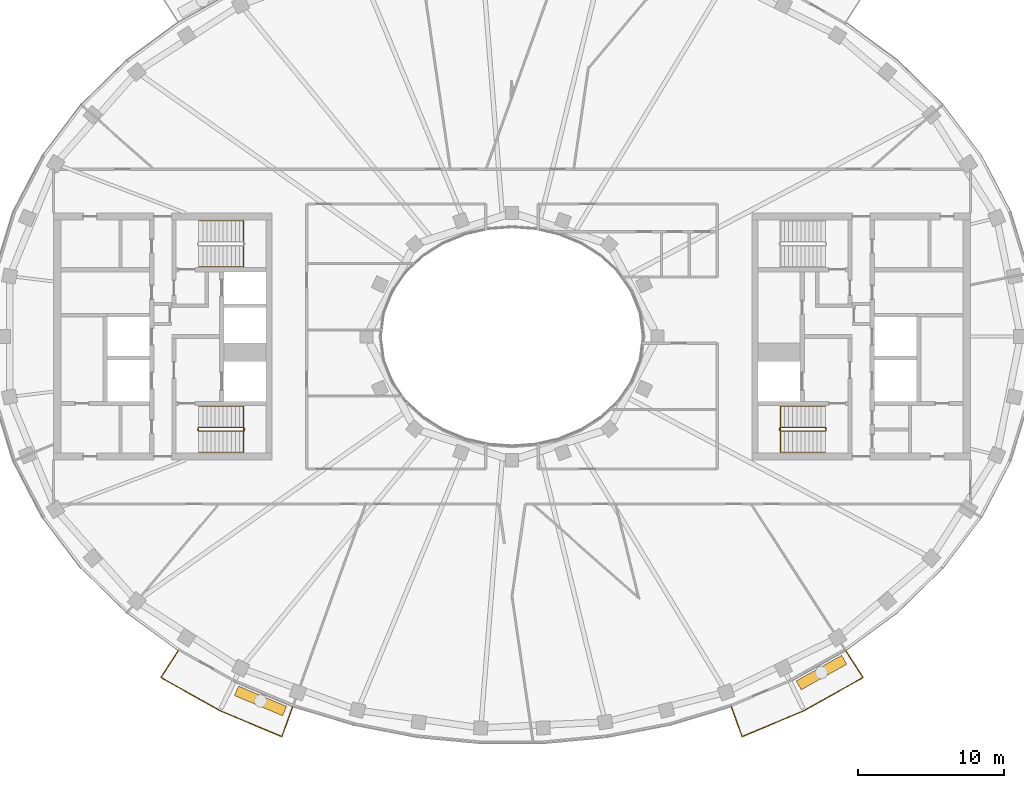
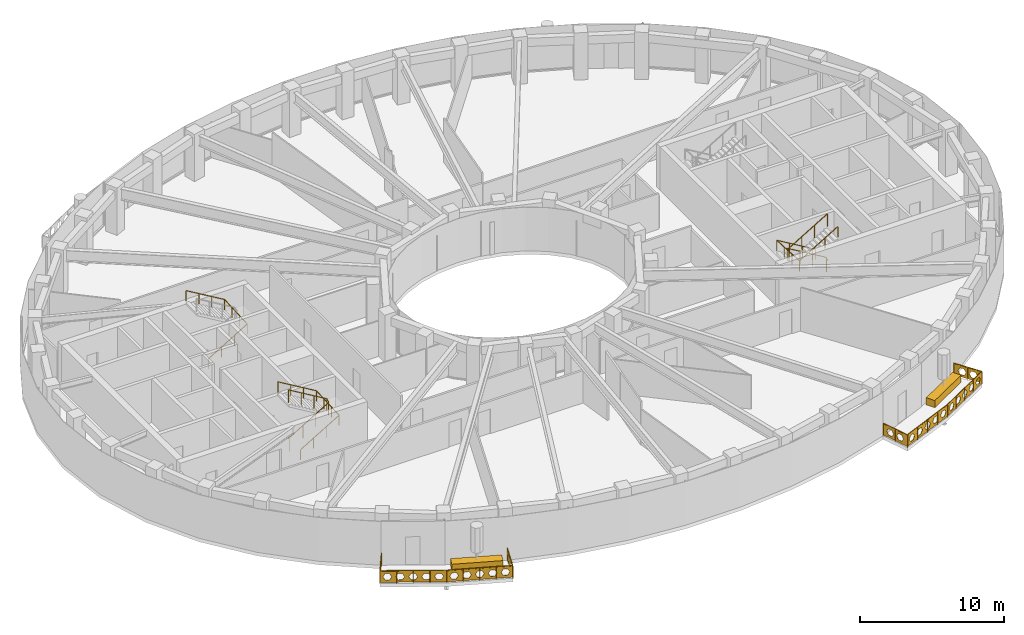
# One storey, part 13 of 15: 7 railings, 2 coverings.
"""IFC4 building model written with IfcOpenShell, lengths in metres."""

from ifc_helpers import new_model, si_unit, direction, frame, origin, origin_2d, place, context, subcontext, project, spatial, polyline, rectangle, outline, extrude, material, type_object, element, save


model = new_model("IFC4")

# Units and contexts
model_context = context("Model", 3, precision=1e-05, world=origin(), true_north=direction((0.0, 1.0)))
body_context = subcontext(model_context, "Body", "Model", "MODEL_VIEW")
ifc_project = project(units=[si_unit("LENGTHUNIT", "METRE"), si_unit("AREAUNIT", "SQUARE_METRE"), si_unit("VOLUMEUNIT", "CUBIC_METRE"), si_unit("PLANEANGLEUNIT", "RADIAN"), si_unit("MASSUNIT", "GRAM", prefix="KILO")], contexts=[model_context])

# Site, building, storey
site_placement = place(None, origin())
site = spatial("IfcSite", under=ifc_project, at=site_placement, CompositionType="ELEMENT")
building_placement = place(site_placement, origin())
building = spatial("IfcBuilding", under=site, at=building_placement, Name="Noorbagh Ring Tower", CompositionType="ELEMENT")
storey_placement = place(building_placement, frame((0.0, 0.0, 295.0)))
storey = spatial("IfcBuildingStorey", under=building, at=storey_placement, Name="L63", CompositionType="ELEMENT", Elevation=295.0)

# Railings
ifc_material_1 = material(Name="Stainless steel", Category="steel")
railing_type_1 = type_object("IfcRailingType", Name="CORE-STAIR-GUARD", PredefinedType="GUARDRAIL", material=ifc_material_1)
railing_1_placement = place(storey_placement, frame((-21.580078125, -6.449951171875, 0.0)))
element("IfcRailing", 1, at=railing_1_placement, inside=storey, type_object=railing_type_1, Name="L63 ST2 stair guard", PredefinedType="GUARDRAIL", context=body_context, shape_type="SweptSolid", body=[
    extrude(rectangle(XDim=0.048095703125, YDim=0.048095703125, at=origin_2d()), frame((0.0, 0.0, 1.076171875), z_axis=(0.0, 1.0, 0.0), x_axis=(-1.0, 0.0, 0.0)), (0.0, 0.0, 1.0), 0.14990234375),
    extrude(rectangle(XDim=0.048095703125, YDim=0.048095703125, at=origin_2d()), frame((0.0, 0.14990234375, 1.076171875), z_axis=(0.188775798145, -0.754182335027, 0.628945707965), x_axis=(0.970072785993, 0.242814311512, 0.0)), (0.0, 0.0, 1.0), 0.26513671875),
    extrude(rectangle(XDim=0.048095703125, YDim=0.048095703125, at=origin_2d()), frame((0.050048828125, -0.050048828125, 1.24267578125), z_axis=(0.859308565015, 0.0, 0.511457515432), x_axis=(0.0, 1.0, 0.0)), (0.0, 0.0, 1.0), 3.58447265625),
    extrude(rectangle(XDim=0.048095703125, YDim=0.048095703125, at=origin_2d()), frame((3.130126953125, -0.050048828125, 3.076171875), z_axis=(0.707106781187, 0.707106781187, 0.0), x_axis=(-0.707106781187, 0.707106781187, 0.0)), (0.0, 0.0, 1.0), 0.07080078125),
    extrude(rectangle(XDim=0.048095703125, YDim=0.048095703125, at=origin_2d()), frame((3.18017578125, 0.0, 3.076171875), z_axis=(0.0, 1.0, 0.0), x_axis=(-1.0, 0.0, 0.0)), (0.0, 0.0, 1.0), 0.14990234375),
    extrude(rectangle(XDim=0.048095703125, YDim=0.048095703125, at=origin_2d()), frame((3.18017578125, 0.14990234375, 3.076171875), z_axis=(-0.27628659633, 0.27628659633, 0.920506074601), x_axis=(-0.707106781187, -0.707106781187, 0.0)), (0.0, 0.0, 1.0), 0.18115234375),
    extrude(rectangle(XDim=0.048095703125, YDim=0.048095703125, at=origin_2d()), frame((3.130126953125, 0.199951171875, 3.24267578125), z_axis=(-0.859308565015, 0.0, 0.511457515432), x_axis=(0.0, -1.0, 0.0)), (0.0, 0.0, 1.0), 3.58447265625),
    extrude(rectangle(XDim=0.0419921875, YDim=0.0419921875, at=origin_2d()), origin(), (0.0, 0.0, 1.0), 1.052001953125),
    extrude(rectangle(XDim=0.0419921875, YDim=0.0419921875, at=origin_2d()), frame((1.07666015625, -0.050048828125, 0.77783203125)), (0.0, 0.0, 1.0), 1.052001953125),
    extrude(rectangle(XDim=0.0419921875, YDim=0.0419921875, at=origin_2d()), frame((2.103515625, -0.050048828125, 1.388916015625)), (0.0, 0.0, 1.0), 1.052001953125),
    extrude(rectangle(XDim=0.0419921875, YDim=0.0419921875, at=origin_2d()), frame((3.130126953125, -0.050048828125, 2.0)), (0.0, 0.0, 1.0), 1.052001953125),
    extrude(rectangle(XDim=0.0419921875, YDim=0.0419921875, at=origin_2d()), frame((3.130126953125, 0.199951171875, 2.166748046875)), (0.0, 0.0, 1.0), 1.052001953125),
    extrude(rectangle(XDim=0.0419921875, YDim=0.0419921875, at=origin_2d()), frame((2.103515625, 0.199951171875, 2.77783203125)), (0.0, 0.0, 1.0), 1.052001953125),
    extrude(rectangle(XDim=0.0419921875, YDim=0.0419921875, at=origin_2d()), frame((1.07666015625, 0.199951171875, 3.388916015625)), (0.0, 0.0, 1.0), 1.052001953125),
    extrude(rectangle(XDim=0.0419921875, YDim=0.0419921875, at=origin_2d()), frame((0.050048828125, 0.199951171875, 4.0)), (0.0, 0.0, 1.0), 1.052001953125),
])
railing_2_placement = place(storey_placement, frame((21.580078125, -6.300048828125, 0.0)))
element("IfcRailing", 2, at=railing_2_placement, inside=storey, type_object=railing_type_1, Name="L63 ST4 stair guard", PredefinedType="GUARDRAIL", context=body_context, shape_type="SweptSolid", body=[
    extrude(rectangle(XDim=0.048095703125, YDim=0.048095703125, at=origin_2d()), frame((0.0, 0.0, 1.076171875), z_axis=(0.0, -1.0, 0.0), x_axis=(1.0, 0.0, 0.0)), (0.0, 0.0, 1.0), 0.14990234375),
    extrude(rectangle(XDim=0.048095703125, YDim=0.048095703125, at=origin_2d()), frame((0.0, -0.14990234375, 1.076171875), z_axis=(-0.188775798145, 0.754182335027, 0.628945707965), x_axis=(-0.970072785993, -0.242814311512, 0.0)), (0.0, 0.0, 1.0), 0.26513671875),
    extrude(rectangle(XDim=0.048095703125, YDim=0.048095703125, at=origin_2d()), frame((-0.050048828125, 0.050048828125, 1.24267578125), z_axis=(-0.859308565015, 0.0, 0.511457515432), x_axis=(0.0, -1.0, 0.0)), (0.0, 0.0, 1.0), 3.58447265625),
    extrude(rectangle(XDim=0.048095703125, YDim=0.048095703125, at=origin_2d()), frame((-3.130126953125, 0.050048828125, 3.076171875), z_axis=(-0.707106781187, -0.707106781187, 0.0), x_axis=(0.707106781187, -0.707106781187, 0.0)), (0.0, 0.0, 1.0), 0.07080078125),
    extrude(rectangle(XDim=0.048095703125, YDim=0.048095703125, at=origin_2d()), frame((-3.18017578125, 0.0, 3.076171875), z_axis=(0.0, -1.0, 0.0), x_axis=(1.0, 0.0, 0.0)), (0.0, 0.0, 1.0), 0.14990234375),
    extrude(rectangle(XDim=0.048095703125, YDim=0.048095703125, at=origin_2d()), frame((-3.18017578125, -0.14990234375, 3.076171875), z_axis=(0.27628659633, -0.27628659633, 0.920506074601), x_axis=(0.707106781187, 0.707106781187, 0.0)), (0.0, 0.0, 1.0), 0.18115234375),
    extrude(rectangle(XDim=0.048095703125, YDim=0.048095703125, at=origin_2d()), frame((-3.130126953125, -0.199951171875, 3.24267578125), z_axis=(0.859308565015, 0.0, 0.511457515432), x_axis=(0.0, 1.0, 0.0)), (0.0, 0.0, 1.0), 3.58447265625),
    extrude(rectangle(XDim=0.0419921875, YDim=0.0419921875, at=origin_2d()), origin(), (0.0, 0.0, 1.0), 1.052001953125),
    extrude(rectangle(XDim=0.0419921875, YDim=0.0419921875, at=origin_2d()), frame((-1.07666015625, 0.050048828125, 0.77783203125)), (0.0, 0.0, 1.0), 1.052001953125),
    extrude(rectangle(XDim=0.0419921875, YDim=0.0419921875, at=origin_2d()), frame((-2.103515625, 0.050048828125, 1.388916015625)), (0.0, 0.0, 1.0), 1.052001953125),
    extrude(rectangle(XDim=0.0419921875, YDim=0.0419921875, at=origin_2d()), frame((-3.130126953125, 0.050048828125, 2.0)), (0.0, 0.0, 1.0), 1.052001953125),
    extrude(rectangle(XDim=0.0419921875, YDim=0.0419921875, at=origin_2d()), frame((-3.130126953125, -0.199951171875, 2.166748046875)), (0.0, 0.0, 1.0), 1.052001953125),
    extrude(rectangle(XDim=0.0419921875, YDim=0.0419921875, at=origin_2d()), frame((-2.103515625, -0.199951171875, 2.77783203125)), (0.0, 0.0, 1.0), 1.052001953125),
    extrude(rectangle(XDim=0.0419921875, YDim=0.0419921875, at=origin_2d()), frame((-1.07666015625, -0.199951171875, 3.388916015625)), (0.0, 0.0, 1.0), 1.052001953125),
    extrude(rectangle(XDim=0.0419921875, YDim=0.0419921875, at=origin_2d()), frame((-0.050048828125, -0.199951171875, 4.0)), (0.0, 0.0, 1.0), 1.052001953125),
])
ifc_material_2 = material(Name="Stainless steel", Category="steel")
railing_type_2 = type_object("IfcRailingType", Name="CORE-STAIR-HANDRAIL", PredefinedType="HANDRAIL", material=ifc_material_2)
railing_3_placement = place(storey_placement, frame((-21.530029296875, 4.800048828125, 0.166748046875)))
element("IfcRailing", 3, at=railing_3_placement, inside=storey, type_object=railing_type_2, Name="L63 ST1 stair handrail", PredefinedType="HANDRAIL", context=body_context, shape_type="SweptSolid", body=[
    extrude(rectangle(XDim=0.048095703125, YDim=0.048095703125, at=origin_2d()), frame((0.0, 0.0, 0.8759765625), z_axis=(0.859308565015, 0.0, 0.511457515432), x_axis=(0.0, 1.0, 0.0)), (0.0, 0.0, 1.0), 3.58447265625),
    extrude(rectangle(XDim=0.048095703125, YDim=0.048095703125, at=origin_2d()), frame((3.080078125, 0.0, 2.708984375), z_axis=(0.0, 0.998601747152, 0.052863509014), x_axis=(-1.0, 0.0, 0.0)), (0.0, 0.0, 1.0), 3.154296875),
    extrude(rectangle(XDim=0.048095703125, YDim=0.048095703125, at=origin_2d()), frame((3.080078125, 3.14990234375, 2.8759765625), z_axis=(-0.859308565015, 0.0, 0.511457515432), x_axis=(0.0, -1.0, 0.0)), (0.0, 0.0, 1.0), 3.58447265625),
    extrude(rectangle(XDim=0.0419921875, YDim=0.0419921875, at=origin_2d()), origin(), (0.0, 0.0, 1.0), 0.851806640625),
    extrude(rectangle(XDim=0.0419921875, YDim=0.0419921875, at=origin_2d()), frame((1.026611328125, 0.0, 0.611083984375)), (0.0, 0.0, 1.0), 0.851806640625),
    extrude(rectangle(XDim=0.0419921875, YDim=0.0419921875, at=origin_2d()), frame((2.053466796875, 0.0, 1.22216796875)), (0.0, 0.0, 1.0), 0.851806640625),
    extrude(rectangle(XDim=0.0419921875, YDim=0.0419921875, at=origin_2d()), frame((3.080078125, 0.0, 1.833251953125)), (0.0, 0.0, 1.0), 0.851806640625),
    extrude(rectangle(XDim=0.0419921875, YDim=0.0419921875, at=origin_2d()), frame((3.080078125, 1.050048828125, 1.888916015625)), (0.0, 0.0, 1.0), 0.851806640625),
    extrude(rectangle(XDim=0.0419921875, YDim=0.0419921875, at=origin_2d()), frame((3.080078125, 2.099853515625, 1.9443359375)), (0.0, 0.0, 1.0), 0.851806640625),
    extrude(rectangle(XDim=0.0419921875, YDim=0.0419921875, at=origin_2d()), frame((3.080078125, 3.14990234375, 2.0)), (0.0, 0.0, 1.0), 0.851806640625),
    extrude(rectangle(XDim=0.0419921875, YDim=0.0419921875, at=origin_2d()), frame((2.053466796875, 3.14990234375, 2.611083984375)), (0.0, 0.0, 1.0), 0.851806640625),
    extrude(rectangle(XDim=0.0419921875, YDim=0.0419921875, at=origin_2d()), frame((1.026611328125, 3.14990234375, 3.22216796875)), (0.0, 0.0, 1.0), 0.851806640625),
    extrude(rectangle(XDim=0.0419921875, YDim=0.0419921875, at=origin_2d()), frame((0.0, 3.14990234375, 3.833251953125)), (0.0, 0.0, 1.0), 0.851806640625),
])
railing_4_placement = place(storey_placement, frame((-21.530029296875, -7.949951171875, 0.166748046875)))
element("IfcRailing", 4, at=railing_4_placement, inside=storey, type_object=railing_type_2, Name="L63 ST2 stair handrail", PredefinedType="HANDRAIL", context=body_context, shape_type="SweptSolid", body=[
    extrude(rectangle(XDim=0.048095703125, YDim=0.048095703125, at=origin_2d()), frame((0.0, 0.0, 0.8759765625), z_axis=(0.859308565015, 0.0, 0.511457515432), x_axis=(0.0, 1.0, 0.0)), (0.0, 0.0, 1.0), 3.58447265625),
    extrude(rectangle(XDim=0.048095703125, YDim=0.048095703125, at=origin_2d()), frame((3.080078125, 0.0, 2.708984375), z_axis=(0.0, 0.998601747152, 0.052863509014), x_axis=(-1.0, 0.0, 0.0)), (0.0, 0.0, 1.0), 3.154296875),
    extrude(rectangle(XDim=0.048095703125, YDim=0.048095703125, at=origin_2d()), frame((3.080078125, 3.14990234375, 2.8759765625), z_axis=(-0.859308565015, 0.0, 0.511457515432), x_axis=(0.0, -1.0, 0.0)), (0.0, 0.0, 1.0), 3.58447265625),
    extrude(rectangle(XDim=0.0419921875, YDim=0.0419921875, at=origin_2d()), origin(), (0.0, 0.0, 1.0), 0.851806640625),
    extrude(rectangle(XDim=0.0419921875, YDim=0.0419921875, at=origin_2d()), frame((1.026611328125, 0.0, 0.611083984375)), (0.0, 0.0, 1.0), 0.851806640625),
    extrude(rectangle(XDim=0.0419921875, YDim=0.0419921875, at=origin_2d()), frame((2.053466796875, 0.0, 1.22216796875)), (0.0, 0.0, 1.0), 0.851806640625),
    extrude(rectangle(XDim=0.0419921875, YDim=0.0419921875, at=origin_2d()), frame((3.080078125, 0.0, 1.833251953125)), (0.0, 0.0, 1.0), 0.851806640625),
    extrude(rectangle(XDim=0.0419921875, YDim=0.0419921875, at=origin_2d()), frame((3.080078125, 1.050048828125, 1.888916015625)), (0.0, 0.0, 1.0), 0.851806640625),
    extrude(rectangle(XDim=0.0419921875, YDim=0.0419921875, at=origin_2d()), frame((3.080078125, 2.099853515625, 1.9443359375)), (0.0, 0.0, 1.0), 0.851806640625),
    extrude(rectangle(XDim=0.0419921875, YDim=0.0419921875, at=origin_2d()), frame((3.080078125, 3.14990234375, 2.0)), (0.0, 0.0, 1.0), 0.851806640625),
    extrude(rectangle(XDim=0.0419921875, YDim=0.0419921875, at=origin_2d()), frame((2.053466796875, 3.14990234375, 2.611083984375)), (0.0, 0.0, 1.0), 0.851806640625),
    extrude(rectangle(XDim=0.0419921875, YDim=0.0419921875, at=origin_2d()), frame((1.026611328125, 3.14990234375, 3.22216796875)), (0.0, 0.0, 1.0), 0.851806640625),
    extrude(rectangle(XDim=0.0419921875, YDim=0.0419921875, at=origin_2d()), frame((0.0, 3.14990234375, 3.833251953125)), (0.0, 0.0, 1.0), 0.851806640625),
])
railing_5_placement = place(storey_placement, frame((21.530029296875, -4.800048828125, 0.166748046875)))
element("IfcRailing", 5, at=railing_5_placement, inside=storey, type_object=railing_type_2, Name="L63 ST4 stair handrail", PredefinedType="HANDRAIL", context=body_context, shape_type="SweptSolid", body=[
    extrude(rectangle(XDim=0.048095703125, YDim=0.048095703125, at=origin_2d()), frame((0.0, 0.0, 0.8759765625), z_axis=(-0.859308565015, 0.0, 0.511457515432), x_axis=(0.0, -1.0, 0.0)), (0.0, 0.0, 1.0), 3.58447265625),
    extrude(rectangle(XDim=0.048095703125, YDim=0.048095703125, at=origin_2d()), frame((-3.080078125, 0.0, 2.708984375), z_axis=(0.0, -0.998601747152, 0.052863509014), x_axis=(1.0, 0.0, 0.0)), (0.0, 0.0, 1.0), 3.154296875),
    extrude(rectangle(XDim=0.048095703125, YDim=0.048095703125, at=origin_2d()), frame((-3.080078125, -3.14990234375, 2.8759765625), z_axis=(0.859308565015, 0.0, 0.511457515432), x_axis=(0.0, 1.0, 0.0)), (0.0, 0.0, 1.0), 3.58447265625),
    extrude(rectangle(XDim=0.0419921875, YDim=0.0419921875, at=origin_2d()), origin(), (0.0, 0.0, 1.0), 0.851806640625),
    extrude(rectangle(XDim=0.0419921875, YDim=0.0419921875, at=origin_2d()), frame((-1.026611328125, 0.0, 0.611083984375)), (0.0, 0.0, 1.0), 0.851806640625),
    extrude(rectangle(XDim=0.0419921875, YDim=0.0419921875, at=origin_2d()), frame((-2.053466796875, 0.0, 1.22216796875)), (0.0, 0.0, 1.0), 0.851806640625),
    extrude(rectangle(XDim=0.0419921875, YDim=0.0419921875, at=origin_2d()), frame((-3.080078125, 0.0, 1.833251953125)), (0.0, 0.0, 1.0), 0.851806640625),
    extrude(rectangle(XDim=0.0419921875, YDim=0.0419921875, at=origin_2d()), frame((-3.080078125, -1.050048828125, 1.888916015625)), (0.0, 0.0, 1.0), 0.851806640625),
    extrude(rectangle(XDim=0.0419921875, YDim=0.0419921875, at=origin_2d()), frame((-3.080078125, -2.099853515625, 1.9443359375)), (0.0, 0.0, 1.0), 0.851806640625),
    extrude(rectangle(XDim=0.0419921875, YDim=0.0419921875, at=origin_2d()), frame((-3.080078125, -3.14990234375, 2.0)), (0.0, 0.0, 1.0), 0.851806640625),
    extrude(rectangle(XDim=0.0419921875, YDim=0.0419921875, at=origin_2d()), frame((-2.053466796875, -3.14990234375, 2.611083984375)), (0.0, 0.0, 1.0), 0.851806640625),
    extrude(rectangle(XDim=0.0419921875, YDim=0.0419921875, at=origin_2d()), frame((-1.026611328125, -3.14990234375, 3.22216796875)), (0.0, 0.0, 1.0), 0.851806640625),
    extrude(rectangle(XDim=0.0419921875, YDim=0.0419921875, at=origin_2d()), frame((0.0, -3.14990234375, 3.833251953125)), (0.0, 0.0, 1.0), 0.851806640625),
])
ifc_material_3 = material(Name="Steel S275 black powder-coated", Category="steel")
railing_type_3 = type_object("IfcRailingType", Name="ENV-GUARD", PredefinedType="GUARDRAIL", material=ifc_material_3)
railing_6_placement = place(storey_placement, frame((-22.9326171875, -21.583740234375, 0.0)))
element("IfcRailing", 6, at=railing_6_placement, inside=storey, type_object=railing_type_3, Name="Balcony guard BS02", PredefinedType="GUARDRAIL", context=body_context, shape_type="SweptSolid", body=[
    extrude(rectangle(XDim=0.048095703125, YDim=0.048095703125, at=origin_2d()), frame((0.0, 0.0, 1.076171875), z_axis=(-0.542268136821, -0.840205491406, 0.0), x_axis=(0.840205491406, -0.542268136821, 0.0)), (0.0, 0.0, 1.0), 2.204345703125),
    extrude(rectangle(XDim=0.048095703125, YDim=0.048095703125, at=origin_2d()), frame((-1.1953125, -1.85205078125, 1.076171875), z_axis=(0.872052247658, -0.489412788303, 0.0), x_axis=(0.489412788303, 0.872052247658, 0.0)), (0.0, 0.0, 1.0), 4.646240234375),
    extrude(rectangle(XDim=0.048095703125, YDim=0.048095703125, at=origin_2d()), frame((2.8564453125, -4.1259765625, 1.076171875), z_axis=(0.921809087722, -0.387644174203, 0.0), x_axis=(0.387644174203, 0.921809087722, 0.0)), (0.0, 0.0, 1.0), 4.627197265625),
    extrude(rectangle(XDim=0.048095703125, YDim=0.048095703125, at=origin_2d()), frame((7.121826171875, -5.919677734375, 1.076171875), z_axis=(0.338350546839, 0.941020141896, 0.0), x_axis=(-0.941020141896, 0.338350546839, 0.0)), (0.0, 0.0, 1.0), 2.202880859375),
    extrude(rectangle(XDim=0.0419921875, YDim=0.0419921875, at=origin_2d()), origin(), (0.0, 0.0, 1.0), 1.052001953125),
    extrude(rectangle(XDim=0.0419921875, YDim=0.0419921875, at=origin_2d()), frame((-0.59765625, -0.926025390625, 0.0)), (0.0, 0.0, 1.0), 1.052001953125),
    extrude(rectangle(XDim=0.0419921875, YDim=0.0419921875, at=origin_2d()), frame((-1.1953125, -1.85205078125, 0.0)), (0.0, 0.0, 1.0), 1.052001953125),
    extrude(rectangle(XDim=0.0419921875, YDim=0.0419921875, at=origin_2d()), frame((-0.182373046875, -2.42041015625, 0.0)), (0.0, 0.0, 1.0), 1.052001953125),
    extrude(rectangle(XDim=0.0419921875, YDim=0.0419921875, at=origin_2d()), frame((0.83056640625, -2.989013671875, 0.0)), (0.0, 0.0, 1.0), 1.052001953125),
    extrude(rectangle(XDim=0.0419921875, YDim=0.0419921875, at=origin_2d()), frame((1.843505859375, -3.5576171875, 0.0)), (0.0, 0.0, 1.0), 1.052001953125),
    extrude(rectangle(XDim=0.0419921875, YDim=0.0419921875, at=origin_2d()), frame((2.8564453125, -4.1259765625, 0.0)), (0.0, 0.0, 1.0), 1.052001953125),
    extrude(rectangle(XDim=0.0419921875, YDim=0.0419921875, at=origin_2d()), frame((3.9228515625, -4.574462890625, 0.0)), (0.0, 0.0, 1.0), 1.052001953125),
    extrude(rectangle(XDim=0.0419921875, YDim=0.0419921875, at=origin_2d()), frame((4.9892578125, -5.02294921875, 0.0)), (0.0, 0.0, 1.0), 1.052001953125),
    extrude(rectangle(XDim=0.0419921875, YDim=0.0419921875, at=origin_2d()), frame((6.055419921875, -5.47119140625, 0.0)), (0.0, 0.0, 1.0), 1.052001953125),
    extrude(rectangle(XDim=0.0419921875, YDim=0.0419921875, at=origin_2d()), frame((7.121826171875, -5.919677734375, 0.0)), (0.0, 0.0, 1.0), 1.052001953125),
    extrude(rectangle(XDim=0.0419921875, YDim=0.0419921875, at=origin_2d()), frame((7.49462890625, -4.88330078125, 0.0)), (0.0, 0.0, 1.0), 1.052001953125),
    extrude(rectangle(XDim=0.0419921875, YDim=0.0419921875, at=origin_2d()), frame((7.8671875, -3.8466796875, 0.0)), (0.0, 0.0, 1.0), 1.052001953125),
    extrude(outline(polyline([(0.0, 0.10009765625), (2.204345703125, 0.10009765625), (2.204345703125, 1.031982421875), (0.0, 1.031982421875), (0.0, 0.10009765625)]), holes=[polyline([(0.962158203125, 0.56591796875), (0.80712890625, 0.83447265625), (0.4970703125, 0.83447265625), (0.342041015625, 0.56591796875), (0.4970703125, 0.297607421875), (0.80712890625, 0.297607421875), (0.962158203125, 0.56591796875)]), polyline([(1.862060546875, 0.56591796875), (1.70703125, 0.83447265625), (1.397216796875, 0.83447265625), (1.2421875, 0.56591796875), (1.397216796875, 0.297607421875), (1.70703125, 0.297607421875), (1.862060546875, 0.56591796875)])]), frame((0.00830078125, -0.00537109375, 0.0), z_axis=(-0.840205491406, 0.542268136821, 0.0), x_axis=(-0.542268136821, -0.840205491406, 0.0)), (0.0, 0.0, 1.0), 0.02001953125),
    extrude(outline(polyline([(0.0, 0.10009765625), (4.646240234375, 0.10009765625), (4.646240234375, 1.031982421875), (0.0, 1.031982421875), (0.0, 0.10009765625)]), holes=[polyline([(0.8330078125, 0.56591796875), (0.67822265625, 0.83447265625), (0.3681640625, 0.83447265625), (0.213134765625, 0.56591796875), (0.3681640625, 0.297607421875), (0.67822265625, 0.297607421875), (0.8330078125, 0.56591796875)]), polyline([(1.733154296875, 0.56591796875), (1.578125, 0.83447265625), (1.26806640625, 0.83447265625), (1.113037109375, 0.56591796875), (1.26806640625, 0.297607421875), (1.578125, 0.297607421875), (1.733154296875, 0.56591796875)]), polyline([(2.633056640625, 0.56591796875), (2.47802734375, 0.83447265625), (2.168212890625, 0.83447265625), (2.01318359375, 0.56591796875), (2.168212890625, 0.297607421875), (2.47802734375, 0.297607421875), (2.633056640625, 0.56591796875)]), polyline([(3.533203125, 0.56591796875), (3.378173828125, 0.83447265625), (3.068115234375, 0.83447265625), (2.9130859375, 0.56591796875), (3.068115234375, 0.297607421875), (3.378173828125, 0.297607421875), (3.533203125, 0.56591796875)]), polyline([(4.43310546875, 0.56591796875), (4.278076171875, 0.83447265625), (3.968017578125, 0.83447265625), (3.813232421875, 0.56591796875), (3.968017578125, 0.297607421875), (4.278076171875, 0.297607421875), (4.43310546875, 0.56591796875)])]), frame((-1.1904296875, -1.84326171875, 0.0), z_axis=(-0.489412788303, -0.872052247658, 0.0), x_axis=(0.872052247658, -0.489412788303, 0.0)), (0.0, 0.0, 1.0), 0.02001953125),
    extrude(outline(polyline([(0.0, 0.10009765625), (4.627197265625, 0.10009765625), (4.627197265625, 1.031982421875), (0.0, 1.031982421875), (0.0, 0.10009765625)]), holes=[polyline([(0.823486328125, 0.56591796875), (0.668701171875, 0.83447265625), (0.358642578125, 0.83447265625), (0.20361328125, 0.56591796875), (0.358642578125, 0.297607421875), (0.668701171875, 0.297607421875), (0.823486328125, 0.56591796875)]), polyline([(1.7236328125, 0.56591796875), (1.568603515625, 0.83447265625), (1.258544921875, 0.83447265625), (1.103515625, 0.56591796875), (1.258544921875, 0.297607421875), (1.568603515625, 0.297607421875), (1.7236328125, 0.56591796875)]), polyline([(2.62353515625, 0.56591796875), (2.468505859375, 0.83447265625), (2.15869140625, 0.83447265625), (2.003662109375, 0.56591796875), (2.15869140625, 0.297607421875), (2.468505859375, 0.297607421875), (2.62353515625, 0.56591796875)]), polyline([(3.523681640625, 0.56591796875), (3.36865234375, 0.83447265625), (3.05859375, 0.83447265625), (2.903564453125, 0.56591796875), (3.05859375, 0.297607421875), (3.36865234375, 0.297607421875), (3.523681640625, 0.56591796875)]), polyline([(4.423583984375, 0.56591796875), (4.2685546875, 0.83447265625), (3.95849609375, 0.83447265625), (3.8037109375, 0.56591796875), (3.95849609375, 0.297607421875), (4.2685546875, 0.297607421875), (4.423583984375, 0.56591796875)])]), frame((2.8603515625, -4.11669921875, 0.0), z_axis=(-0.387644174203, -0.921809087722, 0.0), x_axis=(0.921809087722, -0.387644174203, 0.0)), (0.0, 0.0, 1.0), 0.02001953125),
    extrude(outline(polyline([(0.0, 0.10009765625), (2.202880859375, 0.10009765625), (2.202880859375, 1.031982421875), (0.0, 1.031982421875), (0.0, 0.10009765625)]), holes=[polyline([(0.96142578125, 0.56591796875), (0.806396484375, 0.83447265625), (0.49658203125, 0.83447265625), (0.341552734375, 0.56591796875), (0.49658203125, 0.297607421875), (0.806396484375, 0.297607421875), (0.96142578125, 0.56591796875)]), polyline([(1.861572265625, 0.56591796875), (1.70654296875, 0.83447265625), (1.396484375, 0.83447265625), (1.241455078125, 0.56591796875), (1.396484375, 0.297607421875), (1.70654296875, 0.297607421875), (1.861572265625, 0.56591796875)])]), frame((7.1123046875, -5.916259765625, 0.0), z_axis=(0.941020141896, -0.338350546839, 0.0), x_axis=(0.338350546839, 0.941020141896, 0.0)), (0.0, 0.0, 1.0), 0.02001953125),
])
railing_7_placement = place(storey_placement, frame((15.0654296875, -25.430419921875, 0.0)))
element("IfcRailing", 7, at=railing_7_placement, inside=storey, type_object=railing_type_3, Name="Balcony guard BS05", PredefinedType="GUARDRAIL", context=body_context, shape_type="SweptSolid", body=[
    extrude(rectangle(XDim=0.048095703125, YDim=0.048095703125, at=origin_2d()), frame((0.0, 0.0, 1.076171875), z_axis=(0.338350546839, -0.941020141896, 0.0), x_axis=(0.941020141896, 0.338350546839, 0.0)), (0.0, 0.0, 1.0), 2.202880859375),
    extrude(rectangle(XDim=0.048095703125, YDim=0.048095703125, at=origin_2d()), frame((0.745361328125, -2.072998046875, 1.076171875), z_axis=(0.921809087722, 0.387644174203, 0.0), x_axis=(-0.387644174203, 0.921809087722, 0.0)), (0.0, 0.0, 1.0), 4.627197265625),
    extrude(rectangle(XDim=0.048095703125, YDim=0.048095703125, at=origin_2d()), frame((5.0107421875, -0.279296875, 1.076171875), z_axis=(0.872052247658, 0.489412788303, 0.0), x_axis=(-0.489412788303, 0.872052247658, 0.0)), (0.0, 0.0, 1.0), 4.646240234375),
    extrude(rectangle(XDim=0.048095703125, YDim=0.048095703125, at=origin_2d()), frame((9.0625, 1.99462890625, 1.076171875), z_axis=(-0.542268136821, 0.840205491406, 0.0), x_axis=(-0.840205491406, -0.542268136821, 0.0)), (0.0, 0.0, 1.0), 2.204345703125),
    extrude(rectangle(XDim=0.0419921875, YDim=0.0419921875, at=origin_2d()), origin(), (0.0, 0.0, 1.0), 1.052001953125),
    extrude(rectangle(XDim=0.0419921875, YDim=0.0419921875, at=origin_2d()), frame((0.37255859375, -1.03662109375, 0.0)), (0.0, 0.0, 1.0), 1.052001953125),
    extrude(rectangle(XDim=0.0419921875, YDim=0.0419921875, at=origin_2d()), frame((0.745361328125, -2.072998046875, 0.0)), (0.0, 0.0, 1.0), 1.052001953125),
    extrude(rectangle(XDim=0.0419921875, YDim=0.0419921875, at=origin_2d()), frame((1.811767578125, -1.62451171875, 0.0)), (0.0, 0.0, 1.0), 1.052001953125),
    extrude(rectangle(XDim=0.0419921875, YDim=0.0419921875, at=origin_2d()), frame((2.8779296875, -1.17626953125, 0.0)), (0.0, 0.0, 1.0), 1.052001953125),
    extrude(rectangle(XDim=0.0419921875, YDim=0.0419921875, at=origin_2d()), frame((3.9443359375, -0.727783203125, 0.0)), (0.0, 0.0, 1.0), 1.052001953125),
    extrude(rectangle(XDim=0.0419921875, YDim=0.0419921875, at=origin_2d()), frame((5.0107421875, -0.279296875, 0.0)), (0.0, 0.0, 1.0), 1.052001953125),
    extrude(rectangle(XDim=0.0419921875, YDim=0.0419921875, at=origin_2d()), frame((6.023681640625, 0.2890625, 0.0)), (0.0, 0.0, 1.0), 1.052001953125),
    extrude(rectangle(XDim=0.0419921875, YDim=0.0419921875, at=origin_2d()), frame((7.03662109375, 0.857666015625, 0.0)), (0.0, 0.0, 1.0), 1.052001953125),
    extrude(rectangle(XDim=0.0419921875, YDim=0.0419921875, at=origin_2d()), frame((8.049560546875, 1.42626953125, 0.0)), (0.0, 0.0, 1.0), 1.052001953125),
    extrude(rectangle(XDim=0.0419921875, YDim=0.0419921875, at=origin_2d()), frame((9.0625, 1.99462890625, 0.0)), (0.0, 0.0, 1.0), 1.052001953125),
    extrude(rectangle(XDim=0.0419921875, YDim=0.0419921875, at=origin_2d()), frame((8.46484375, 2.920654296875, 0.0)), (0.0, 0.0, 1.0), 1.052001953125),
    extrude(rectangle(XDim=0.0419921875, YDim=0.0419921875, at=origin_2d()), frame((7.8671875, 3.8466796875, 0.0)), (0.0, 0.0, 1.0), 1.052001953125),
    extrude(outline(polyline([(0.0, 0.10009765625), (2.202880859375, 0.10009765625), (2.202880859375, 1.031982421875), (0.0, 1.031982421875), (0.0, 0.10009765625)]), holes=[polyline([(0.96142578125, 0.56591796875), (0.806396484375, 0.83447265625), (0.49658203125, 0.83447265625), (0.341552734375, 0.56591796875), (0.49658203125, 0.297607421875), (0.806396484375, 0.297607421875), (0.96142578125, 0.56591796875)]), polyline([(1.861572265625, 0.56591796875), (1.70654296875, 0.83447265625), (1.396484375, 0.83447265625), (1.241455078125, 0.56591796875), (1.396484375, 0.297607421875), (1.70654296875, 0.297607421875), (1.861572265625, 0.56591796875)])]), frame((0.009521484375, 0.00341796875, 0.0), z_axis=(-0.941020141896, -0.338350546839, 0.0), x_axis=(0.338350546839, -0.941020141896, 0.0)), (0.0, 0.0, 1.0), 0.02001953125),
    extrude(outline(polyline([(0.0, 0.10009765625), (4.627197265625, 0.10009765625), (4.627197265625, 1.031982421875), (0.0, 1.031982421875), (0.0, 0.10009765625)]), holes=[polyline([(0.823486328125, 0.56591796875), (0.668701171875, 0.83447265625), (0.358642578125, 0.83447265625), (0.20361328125, 0.56591796875), (0.358642578125, 0.297607421875), (0.668701171875, 0.297607421875), (0.823486328125, 0.56591796875)]), polyline([(1.7236328125, 0.56591796875), (1.568603515625, 0.83447265625), (1.258544921875, 0.83447265625), (1.103515625, 0.56591796875), (1.258544921875, 0.297607421875), (1.568603515625, 0.297607421875), (1.7236328125, 0.56591796875)]), polyline([(2.62353515625, 0.56591796875), (2.468505859375, 0.83447265625), (2.15869140625, 0.83447265625), (2.003662109375, 0.56591796875), (2.15869140625, 0.297607421875), (2.468505859375, 0.297607421875), (2.62353515625, 0.56591796875)]), polyline([(3.523681640625, 0.56591796875), (3.36865234375, 0.83447265625), (3.05859375, 0.83447265625), (2.903564453125, 0.56591796875), (3.05859375, 0.297607421875), (3.36865234375, 0.297607421875), (3.523681640625, 0.56591796875)]), polyline([(4.423583984375, 0.56591796875), (4.2685546875, 0.83447265625), (3.95849609375, 0.83447265625), (3.8037109375, 0.56591796875), (3.95849609375, 0.297607421875), (4.2685546875, 0.297607421875), (4.423583984375, 0.56591796875)])]), frame((0.741455078125, -2.063720703125, 0.0), z_axis=(0.387644174203, -0.921809087722, 0.0), x_axis=(0.921809087722, 0.387644174203, 0.0)), (0.0, 0.0, 1.0), 0.02001953125),
    extrude(outline(polyline([(0.0, 0.10009765625), (4.646240234375, 0.10009765625), (4.646240234375, 1.031982421875), (0.0, 1.031982421875), (0.0, 0.10009765625)]), holes=[polyline([(0.8330078125, 0.56591796875), (0.67822265625, 0.83447265625), (0.3681640625, 0.83447265625), (0.213134765625, 0.56591796875), (0.3681640625, 0.297607421875), (0.67822265625, 0.297607421875), (0.8330078125, 0.56591796875)]), polyline([(1.733154296875, 0.56591796875), (1.578125, 0.83447265625), (1.26806640625, 0.83447265625), (1.113037109375, 0.56591796875), (1.26806640625, 0.297607421875), (1.578125, 0.297607421875), (1.733154296875, 0.56591796875)]), polyline([(2.633056640625, 0.56591796875), (2.47802734375, 0.83447265625), (2.168212890625, 0.83447265625), (2.01318359375, 0.56591796875), (2.168212890625, 0.297607421875), (2.47802734375, 0.297607421875), (2.633056640625, 0.56591796875)]), polyline([(3.533203125, 0.56591796875), (3.378173828125, 0.83447265625), (3.068115234375, 0.83447265625), (2.9130859375, 0.56591796875), (3.068115234375, 0.297607421875), (3.378173828125, 0.297607421875), (3.533203125, 0.56591796875)]), polyline([(4.43310546875, 0.56591796875), (4.278076171875, 0.83447265625), (3.968017578125, 0.83447265625), (3.813232421875, 0.56591796875), (3.968017578125, 0.297607421875), (4.278076171875, 0.297607421875), (4.43310546875, 0.56591796875)])]), frame((5.005859375, -0.2705078125, 0.0), z_axis=(0.489412788303, -0.872052247658, 0.0), x_axis=(0.872052247658, 0.489412788303, 0.0)), (0.0, 0.0, 1.0), 0.02001953125),
    extrude(outline(polyline([(0.0, 0.10009765625), (2.204345703125, 0.10009765625), (2.204345703125, 1.031982421875), (0.0, 1.031982421875), (0.0, 0.10009765625)]), holes=[polyline([(0.962158203125, 0.56591796875), (0.80712890625, 0.83447265625), (0.4970703125, 0.83447265625), (0.342041015625, 0.56591796875), (0.4970703125, 0.297607421875), (0.80712890625, 0.297607421875), (0.962158203125, 0.56591796875)]), polyline([(1.862060546875, 0.56591796875), (1.70703125, 0.83447265625), (1.397216796875, 0.83447265625), (1.2421875, 0.56591796875), (1.397216796875, 0.297607421875), (1.70703125, 0.297607421875), (1.862060546875, 0.56591796875)])]), frame((9.05419921875, 1.9892578125, 0.0), z_axis=(0.840205491406, 0.542268136821, 0.0), x_axis=(-0.542268136821, 0.840205491406, 0.0)), (0.0, 0.0, 1.0), 0.02001953125),
])

# Coverings
ifc_material_4 = material(Name="Concrete C30/37 planter with soil", Category="concrete")
covering_type = type_object("IfcCoveringType", Name="ENV-PLANTER", PredefinedType="CLADDING", material=ifc_material_4)
covering_1_placement = place(storey_placement, frame((-17.280517578125, -25.041259765625, 0.0), z_axis=(0.0, 0.0, 1.0), x_axis=(0.921811566494, -0.387638279686, 0.0)))
element("IfcCovering", 8, at=covering_1_placement, inside=storey, type_object=covering_type, Name="PLANTER BS02", ObjectType="PLANTER", PredefinedType="CLADDING", context=body_context, shape_type="SweptSolid", body=[
    extrude(rectangle(XDim=3.5859375, YDim=0.699951171875, at=origin_2d()), origin(), (0.0, 0.0, 1.0), 0.60009765625),
])
covering_2_placement = place(storey_placement, frame((21.26513671875, -23.093017578125, 0.0), z_axis=(0.0, 0.0, 1.0), x_axis=(0.872044586249, 0.48942643941, 0.0)))
element("IfcCovering", 9, at=covering_2_placement, inside=storey, type_object=covering_type, Name="PLANTER BS05", ObjectType="PLANTER", PredefinedType="CLADDING", context=body_context, shape_type="SweptSolid", body=[
    extrude(rectangle(XDim=3.58544921875, YDim=0.699951171875, at=origin_2d()), origin(), (0.0, 0.0, 1.0), 0.60009765625),
])

save(model, "model.ifc")
